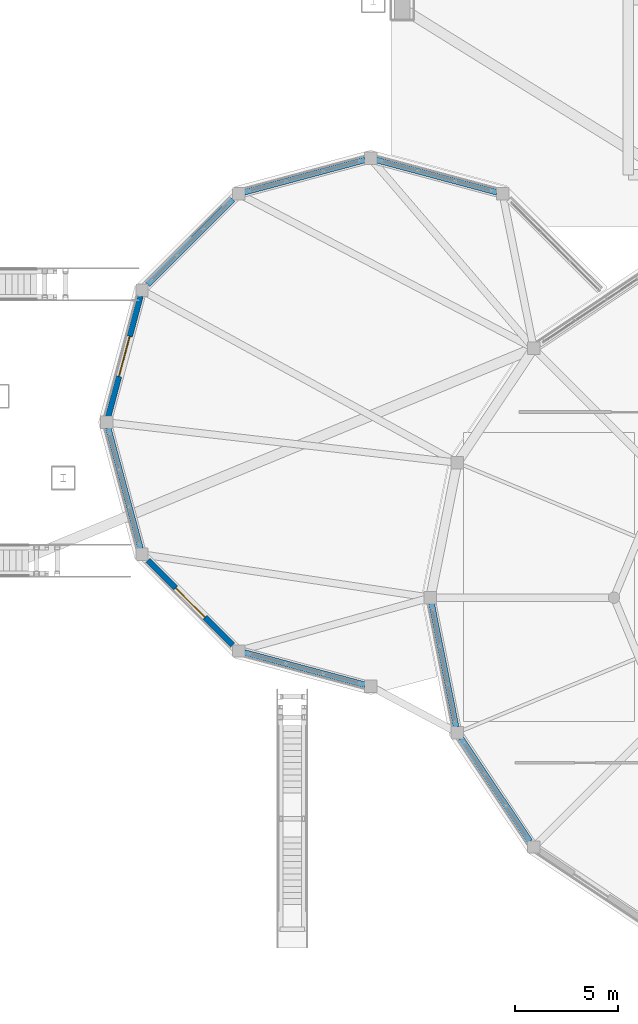
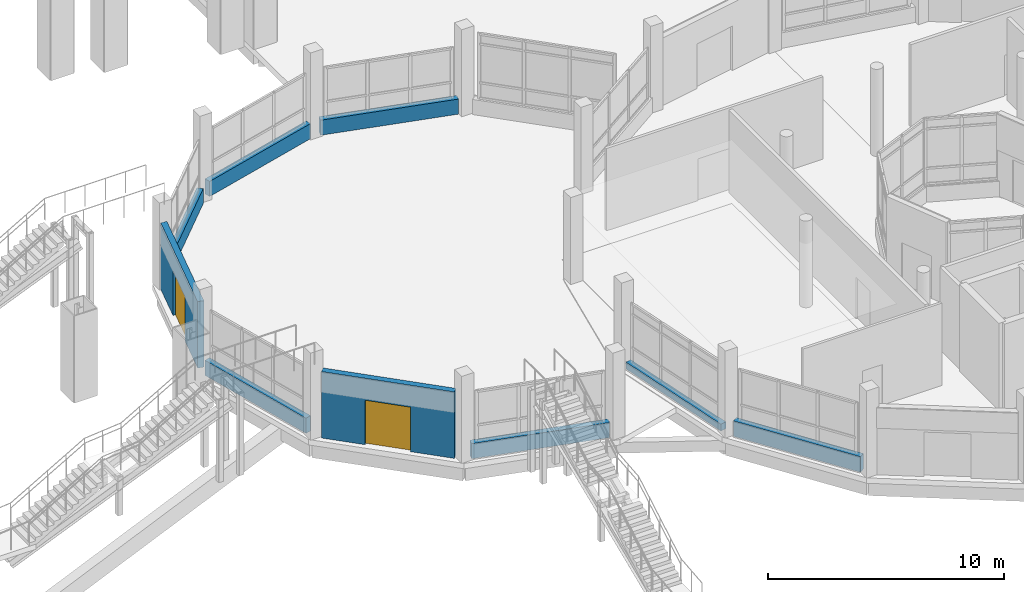
# One storey, part 108 of 129: 9 walls, 2 doors, 2 openings.
"""IFC4 building model written with IfcOpenShell, lengths in metres."""

from ifc_helpers import new_model, si_unit, direction, frame, frame_2d, origin, place, context, subcontext, project, spatial, rectangle, extrude, material, layer, layer_set, type_object, element, fill, save


model = new_model("IFC4")

# Units and contexts
model_context = context("Model", 3, precision=1e-05, world=origin(), true_north=direction((0.0, 1.0)))
body_context = subcontext(model_context, "Body", "Model", "MODEL_VIEW")
ifc_project = project(units=[si_unit("LENGTHUNIT", "METRE"), si_unit("AREAUNIT", "SQUARE_METRE"), si_unit("VOLUMEUNIT", "CUBIC_METRE"), si_unit("PLANEANGLEUNIT", "RADIAN"), si_unit("MASSUNIT", "GRAM", prefix="KILO")], contexts=[model_context])

# Site, building, storey
site_placement = place(None, origin())
site = spatial("IfcSite", under=ifc_project, at=site_placement, CompositionType="ELEMENT")
building_placement = place(site_placement, origin())
building = spatial("IfcBuilding", under=site, at=building_placement, Name="Vespera Passage Community Centre", CompositionType="ELEMENT")
storey_placement = place(building_placement, origin())
storey = spatial("IfcBuildingStorey", under=building, at=storey_placement, Name="L00", CompositionType="ELEMENT", Elevation=0.0)

# Walls
ifc_material_1 = material(Name="Precast concrete f'c 40 MPa", Category="concrete")
ifc_layer = layer(ifc_material_1, 0.280029296875)
ifc_layer_set = layer_set([ifc_layer], Name="Precast concrete f'c 40 MPa")
wall_type = type_object("IfcWallType", Name="WT-EXT-280E", PredefinedType="STANDARD", material=ifc_layer_set)
wall_1_placement = place(storey_placement, frame((125.14697265625, 18.731689453125, 0.0), z_axis=(0.0, 0.0, 1.0), x_axis=(-0.195101780047, 0.98078300119, 0.0)))
element("IfcWall", 1, at=wall_1_placement, inside=storey, type_object=wall_type, Name="V3 L00 Spandrel 9", PredefinedType="STANDARD", context=body_context, shape_type="SweptSolid", body=[
    extrude(rectangle(XDim=6.1103515625, YDim=0.280029296875, at=frame_2d((3.05517578125, 0.0))), origin(), (0.0, 0.0, 1.0), 0.35009765625),
])
wall_2_placement = place(storey_placement, frame((128.721923828125, 13.187744140625, 0.0), z_axis=(0.0, 0.0, 1.0), x_axis=(-0.555573083966, 0.831467707354, 0.0)))
element("IfcWall", 2, at=wall_2_placement, inside=storey, type_object=wall_type, Name="V3 L00 Spandrel 10", PredefinedType="STANDARD", context=body_context, shape_type="SweptSolid", body=[
    extrude(rectangle(XDim=6.00048828125, YDim=0.280029296875, at=frame_2d((3.000244140625, 0.0))), origin(), (0.0, 0.0, 1.0), 0.800048828125),
])
for number, where, z_axis, x_axis, name in (
    (3, (121.27587890625, 46.22607421875, 0.0), (0.0, 0.0, 1.0), (0.965920331482, -0.258839551131, 0.0), "V3A L00 Cafe Spandrel 3"),
    (4, (114.8759765625, 44.658935546875, 0.0), (0.0, 0.0, 1.0), (0.965920331482, 0.258839551131, 0.0), "V3A L00 Cafe Spandrel 4"),
):
    element("IfcWall", number, at=place(storey_placement, frame(where, z_axis=z_axis, x_axis=x_axis)), inside=storey, type_object=wall_type, Name=name, PredefinedType="STANDARD", context=body_context, shape_type="SweptSolid", body=[
        extrude(rectangle(XDim=6.054443359375, YDim=0.280029296875, at=frame_2d((3.02734375, 0.0))), origin(), (0.0, 0.0, 1.0), 0.780029296875),
    ])
wall_3_placement = place(storey_placement, frame((110.197265625, 40.182373046875, 0.0), z_axis=(0.0, 0.0, 1.0), x_axis=(0.707106781187, 0.707106781187, 0.0)))
element("IfcWall", 5, at=wall_3_placement, inside=storey, type_object=wall_type, Name="V3A L00 Cafe Spandrel 5", PredefinedType="STANDARD", context=body_context, shape_type="SweptSolid", body=[
    extrude(rectangle(XDim=5.8271484375, YDim=0.280029296875, at=frame_2d((2.91357421875, 0.0))), origin(), (0.0, 0.0, 1.0), 0.780029296875),
])

# Wall, opening, door
wall_4_placement = place(storey_placement, frame((108.27392578125, 33.77587890625, 0.0), z_axis=(0.0, 0.0, 1.0), x_axis=(0.258839551131, 0.965920331482, 0.0)))
wall_4 = element("IfcWall", 6, at=wall_4_placement, inside=storey, type_object=wall_type, Name="V3A L00 Passage Cafe Portal 6", PredefinedType="STANDARD", context=body_context, shape_type="SweptSolid", body=[
    extrude(rectangle(XDim=6.054443359375, YDim=0.280029296875, at=frame_2d((3.02734375, 0.0))), origin(), (0.0, 0.0, 1.0), 3.43505859375),
])
opening_1_placement = place(wall_4_placement, frame((2.02734375, 0.0, 0.0)))
opening_1 = element("IfcOpeningElement", 7, at=opening_1_placement, cuts=wall_4, Name="Opening DT-E06", PredefinedType="OPENING", context=body_context, shape_type="SweptSolid", body=[
    extrude(rectangle(XDim=2.0, YDim=2.300048828125, at=frame_2d((1.0, 1.14990234375))), frame((0.0, 0.150146484375, 0.0), z_axis=(0.0, -1.0, 0.0), x_axis=(1.0, 0.0, 0.0)), (0.0, 0.0, 1.0), 0.300048828125),
])
ifc_material_2 = material(Name="Anodized aluminium 6063-T6", Category="aluminium")
door_type = type_object("IfcDoorType", Name="DT-E06", OperationType="NOTDEFINED", PredefinedType="DOOR", material=ifc_material_2)
door_1_placement = place(opening_1_placement, origin())
door_1 = element("IfcDoor", 8, at=door_1_placement, inside=storey, type_object=door_type, Name="Passage Espresso Cafe Entrance Door 6", OperationType="SINGLE_SWING_LEFT", OverallHeight=2.300048828125, OverallWidth=2.0, PredefinedType="DOOR", context=body_context, shape_type="SweptSolid", body=[
    extrude(rectangle(XDim=2.0, YDim=2.300048828125, at=frame_2d((1.0, 1.14990234375))), frame((0.0, 0.02490234375, 0.0), z_axis=(0.0, -1.0, 0.0), x_axis=(1.0, 0.0, 0.0)), (0.0, 0.0, 1.0), 0.050048828125),
])
fill(opening_1, door_1)

# Wall
wall_5_placement = place(storey_placement, frame((109.841064453125, 27.3759765625, 0.0), z_axis=(0.0, 0.0, 1.0), x_axis=(-0.258839551131, 0.965920331482, 0.0)))
element("IfcWall", 9, at=wall_5_placement, inside=storey, type_object=wall_type, Name="V3A L00 Cafe Spandrel 7", PredefinedType="STANDARD", context=body_context, shape_type="SweptSolid", body=[
    extrude(rectangle(XDim=6.054443359375, YDim=0.280029296875, at=frame_2d((3.02734375, 0.0))), origin(), (0.0, 0.0, 1.0), 0.780029296875),
])

# Wall, opening, door
wall_6_placement = place(storey_placement, frame((114.317626953125, 22.697265625, 0.0), z_axis=(0.0, 0.0, 1.0), x_axis=(-0.707106781187, 0.707106781187, 0.0)))
wall_6 = element("IfcWall", 10, at=wall_6_placement, inside=storey, type_object=wall_type, Name="V3A L00 Passage Cafe Portal 8", PredefinedType="STANDARD", context=body_context, shape_type="SweptSolid", body=[
    extrude(rectangle(XDim=5.8271484375, YDim=0.280029296875, at=frame_2d((2.91357421875, 0.0))), origin(), (0.0, 0.0, 1.0), 3.43505859375),
])
opening_2_placement = place(wall_6_placement, frame((1.91357421875, 0.0, 0.0)))
opening_2 = element("IfcOpeningElement", 11, at=opening_2_placement, cuts=wall_6, Name="Opening DT-E06", PredefinedType="OPENING", context=body_context, shape_type="SweptSolid", body=[
    extrude(rectangle(XDim=2.0, YDim=2.300048828125, at=frame_2d((1.0, 1.14990234375))), frame((0.0, 0.150146484375, 0.0), z_axis=(0.0, -1.0, 0.0), x_axis=(1.0, 0.0, 0.0)), (0.0, 0.0, 1.0), 0.300048828125),
])
door_2_placement = place(opening_2_placement, origin())
door_2 = element("IfcDoor", 12, at=door_2_placement, inside=storey, type_object=door_type, Name="Passage Espresso Cafe Entrance Door 8", OperationType="SINGLE_SWING_RIGHT", OverallHeight=2.300048828125, OverallWidth=2.0, PredefinedType="DOOR", context=body_context, shape_type="SweptSolid", body=[
    extrude(rectangle(XDim=2.0, YDim=2.300048828125, at=frame_2d((1.0, 1.14990234375))), frame((0.0, 0.02490234375, 0.0), z_axis=(0.0, -1.0, 0.0), x_axis=(1.0, 0.0, 0.0)), (0.0, 0.0, 1.0), 0.050048828125),
])
fill(opening_2, door_2)

# Wall
wall_7_placement = place(storey_placement, frame((120.72412109375, 20.77392578125, 0.0), z_axis=(0.0, 0.0, 1.0), x_axis=(-0.965920331482, 0.258839551131, 0.0)))
element("IfcWall", 13, at=wall_7_placement, inside=storey, type_object=wall_type, Name="V3A L00 Cafe Spandrel 9", PredefinedType="STANDARD", context=body_context, shape_type="SweptSolid", body=[
    extrude(rectangle(XDim=6.054443359375, YDim=0.280029296875, at=frame_2d((3.02734375, 0.0))), origin(), (0.0, 0.0, 1.0), 0.780029296875),
])

save(model, "model.ifc")
